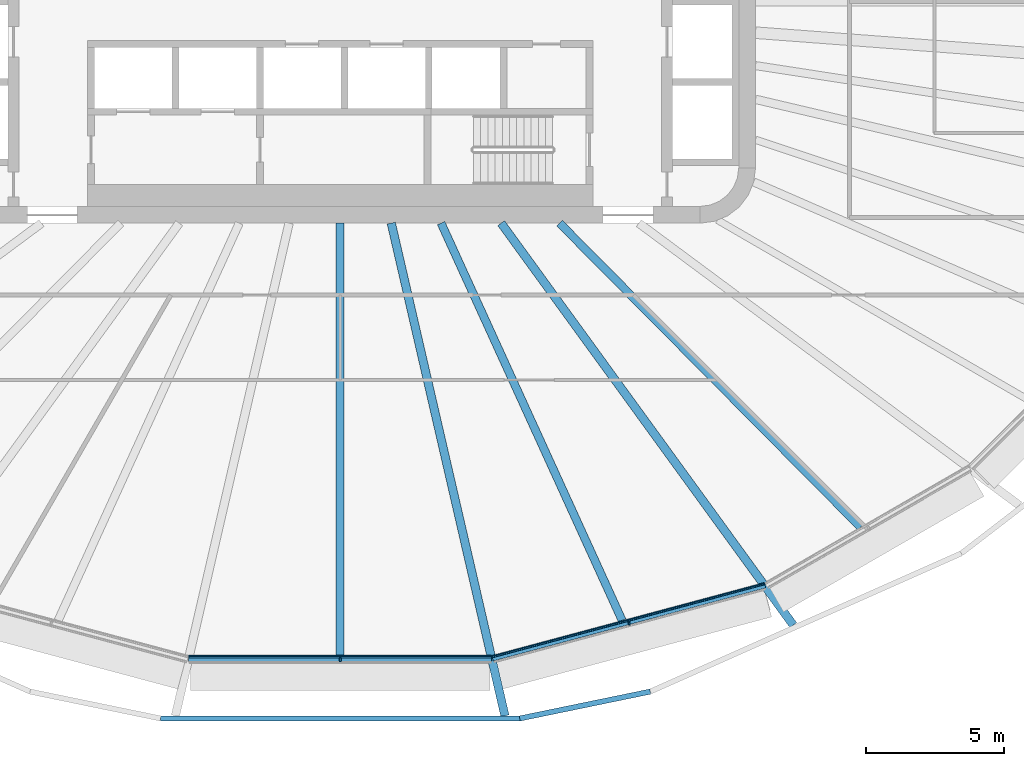
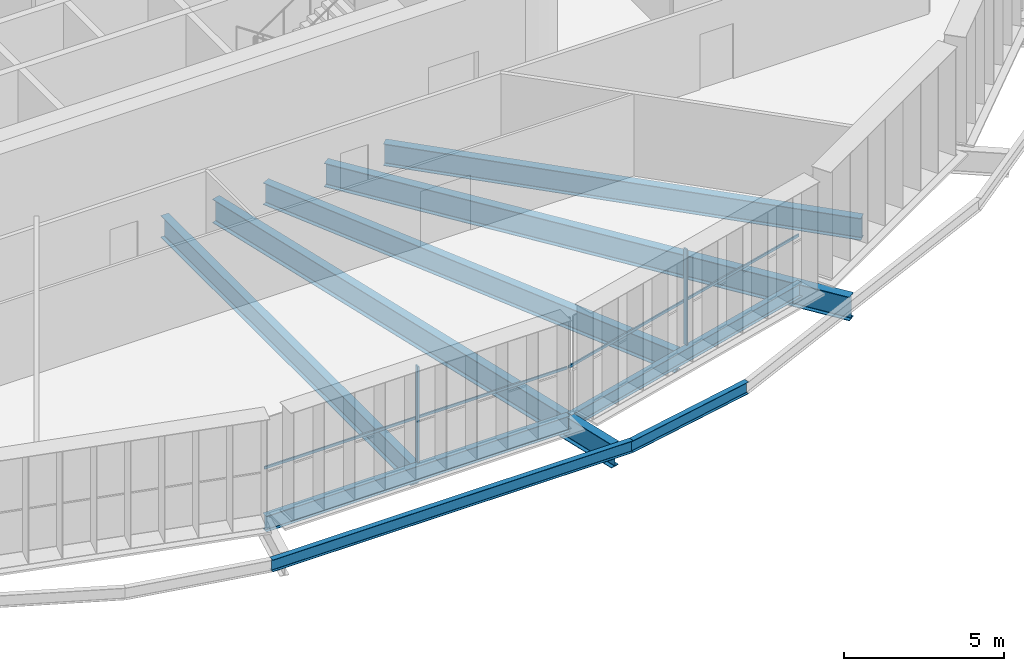
# One storey, part 4 of 25: 9 beams, 4 members, 2 elements without a shape of their own.
"""IFC4 building model written with IfcOpenShell, lengths in metres."""

from ifc_helpers import new_model, si_unit, direction, frame, origin, origin_2d, place, context, subcontext, project, spatial, rectangle, i_section, extrude, material, layer, layer_set, material_profile, profile_set, type_object, element, aggregate, save


model = new_model("IFC4")

# Units and contexts
model_context = context("Model", 3, precision=1e-05, world=origin(), true_north=direction((0.0, 1.0)))
body_context = subcontext(model_context, "Body", "Model", "MODEL_VIEW")
ifc_project = project(units=[si_unit("LENGTHUNIT", "METRE"), si_unit("AREAUNIT", "SQUARE_METRE"), si_unit("VOLUMEUNIT", "CUBIC_METRE"), si_unit("PLANEANGLEUNIT", "RADIAN"), si_unit("MASSUNIT", "GRAM", prefix="KILO")], contexts=[model_context])

# Site, building, storey
site_placement = place(None, origin())
site = spatial("IfcSite", under=ifc_project, at=site_placement, CompositionType="ELEMENT")
building_placement = place(site_placement, origin())
building = spatial("IfcBuilding", under=site, at=building_placement, Name="Sahrelin Media Tower", CompositionType="ELEMENT")
storey_placement = place(building_placement, frame((0.0, 0.0, 127.199951171875)))
storey = spatial("IfcBuildingStorey", under=building, at=storey_placement, Name="L25", CompositionType="ELEMENT", Elevation=127.199951171875)

# Beams
ifc_material_1 = material(Name="Steel S355", Category="steel")
ifc_material_profile_1 = material_profile(ifc_material_1, i_section(OverallWidth=0.208740234375, OverallDepth=0.5283203125, WebThickness=0.009521484375, FlangeThickness=0.01318359375, FilletRadius=0.0126953125, at=origin_2d()), Name="UB 533x210x82")
ifc_profile_set_1 = profile_set([ifc_material_profile_1], Name="Steel S355")
beam_type_1 = type_object("IfcBeamType", Name="Edge beam EB6", PredefinedType="BEAM", material=ifc_profile_set_1)
beam_1_placement = place(storey_placement, frame((15.34228515625, -21.07373046875, -0.4140625), z_axis=(-0.965923237506, -0.258828706379, 0.0), x_axis=(0.258828706379, -0.965923237506, 0.0)))
element("IfcBeam", 1, at=beam_1_placement, inside=storey, type_object=beam_type_1, Name="Edge beam L25-06", PredefinedType="BEAM", context=body_context, shape_type="SweptSolid", body=[
    extrude(i_section(OverallWidth=0.208740234375, OverallDepth=0.5283203125, WebThickness=0.009521484375, FlangeThickness=0.01318359375, FilletRadius=0.0126953125, at=origin_2d()), origin(), (0.0, 0.0, 1.0), 10.18896484375),
])
ifc_material_profile_2 = material_profile(ifc_material_1, i_section(OverallWidth=0.2275390625, OverallDepth=0.6025390625, WebThickness=0.010498046875, FlangeThickness=0.014892578125, FilletRadius=0.0126953125, at=origin_2d()), Name="UB 610x229x101")
ifc_profile_set_2 = profile_set([ifc_material_profile_2], Name="Steel S355")
beam_type_2 = type_object("IfcBeamType", Name="Edge beam EB7", PredefinedType="BEAM", material=ifc_profile_set_2)
beam_2_placement = place(storey_placement, frame((5.471923828125, -23.714599609375, -0.451171875), z_axis=(-1.0, 0.0, 0.0), x_axis=(0.0, -1.0, 0.0)))
element("IfcBeam", 2, at=beam_2_placement, inside=storey, type_object=beam_type_2, Name="Edge beam L25-07", PredefinedType="BEAM", context=body_context, shape_type="SweptSolid", body=[
    extrude(i_section(OverallWidth=0.2275390625, OverallDepth=0.6025390625, WebThickness=0.010498046875, FlangeThickness=0.014892578125, FilletRadius=0.0126953125, at=origin_2d()), origin(), (0.0, 0.0, 1.0), 10.94384765625),
])

# Curtain wall, member
ifc_material_2 = material(Name="Champagne anodised aluminium 6063-T6", Category="aluminium")
ifc_layer = layer(ifc_material_2, 0.14990234375)
ifc_layer_set = layer_set([ifc_layer], Name="Tower ribbon curtain wall")
curtain_wall_type = type_object("IfcCurtainWallType", Name="Tower ribbon curtain wall", PredefinedType="NOTDEFINED", material=ifc_layer_set)
curtain_wall_1_placement = place(storey_placement, frame((0.0, -23.86474609375, 0.0), z_axis=(0.0, 0.0, 1.0), x_axis=(1.0, 0.0, 0.0)))
curtain_wall_1 = element("IfcCurtainWall", 3, at=curtain_wall_1_placement, inside=storey, type_object=curtain_wall_type, Name="L25:CW:L25-18", PredefinedType="NOTDEFINED")
ifc_material_profile_3 = material_profile(ifc_material_2, rectangle(XDim=0.06005859375, YDim=0.14990234375, at=origin_2d()), Name="Mullion 60x150")
ifc_profile_set_3 = profile_set([ifc_material_profile_3], Name="Champagne anodised aluminium 6063-T6")
member_type_1 = type_object("IfcMemberType", Name="Mullion 60x150 CW1", PredefinedType="MULLION", material=ifc_profile_set_3)
member_1_placement = place(storey_placement, frame((0.0, -23.769775390625, 0.0), z_axis=(0.0, 0.0, 1.0), x_axis=(1.0, 0.0, 0.0)))
member_1 = element("IfcMember", 4, at=member_1_placement, type_object=member_type_1, Name="L25:CWM:L25-18", PredefinedType="MULLION", context=body_context, shape_type="SweptSolid", body=[
    extrude(rectangle(XDim=0.06005859375, YDim=0.14990234375, at=origin_2d()), origin(), (0.0, 0.0, 1.0), 3.648681640625),
])

curtain_wall_2_placement = place(storey_placement, frame((10.460205078125, -22.537353515625, 0.0), z_axis=(0.0, 0.0, 1.0), x_axis=(1.0, 0.0, 0.0)))
curtain_wall_2 = element("IfcCurtainWall", 5, at=curtain_wall_2_placement, inside=storey, type_object=curtain_wall_type, Name="L25:CW:L25-19", PredefinedType="NOTDEFINED")
member_2_placement = place(storey_placement, frame((10.435546875, -22.445556640625, 0.0), z_axis=(0.0, 0.0, 1.0), x_axis=(0.965924471102, 0.258824102675, 0.0)))
member_2 = element("IfcMember", 6, at=member_2_placement, type_object=member_type_1, Name="L25:CWM:L25-19", PredefinedType="MULLION", context=body_context, shape_type="SweptSolid", body=[
    extrude(rectangle(XDim=0.06005859375, YDim=0.14990234375, at=origin_2d()), origin(), (0.0, 0.0, 1.0), 3.648681640625),
])

# Beams
ifc_material_profile_4 = material_profile(ifc_material_1, i_section(OverallWidth=0.30322265625, OverallDepth=0.903076171875, WebThickness=0.01513671875, FlangeThickness=0.020263671875, FilletRadius=0.01904296875, at=origin_2d()), Name="UB 914x305x201")
ifc_profile_set_4 = profile_set([ifc_material_profile_4], Name="Steel S355")
beam_type_3 = type_object("IfcBeamType", Name="Radial primary beam PB11", PredefinedType="BEAM", material=ifc_profile_set_4)
beam_3_placement = place(storey_placement, frame((1.845703125, -8.0, -0.6015625), z_axis=(0.224828260072, -0.974398405927, 0.0), x_axis=(0.974398405927, 0.224828260072, 0.0)))
element("IfcBeam", 7, at=beam_3_placement, inside=storey, type_object=beam_type_3, Name="Radial beam L25-19", PredefinedType="BEAM", context=body_context, shape_type="SweptSolid", body=[
    extrude(i_section(OverallWidth=0.30322265625, OverallDepth=0.903076171875, WebThickness=0.01513671875, FlangeThickness=0.020263671875, FilletRadius=0.01904296875, at=origin_2d()), origin(), (0.0, 0.0, 1.0), 18.260498046875),
])
beam_4_placement = place(storey_placement, frame((5.81396484375, -8.0, -0.6015625), z_axis=(0.587892585931, -0.808939001042, 0.0), x_axis=(0.808939001042, 0.587892585931, 0.0)))
element("IfcBeam", 8, at=beam_4_placement, inside=storey, type_object=beam_type_3, Name="Radial beam L25-20", PredefinedType="BEAM", context=body_context, shape_type="SweptSolid", body=[
    extrude(i_section(OverallWidth=0.30322265625, OverallDepth=0.903076171875, WebThickness=0.01513671875, FlangeThickness=0.020263671875, FilletRadius=0.01904296875, at=origin_2d()), origin(), (0.0, 0.0, 1.0), 17.945556640625),
])
ifc_material_profile_5 = material_profile(ifc_material_1, i_section(OverallWidth=0.291748046875, OverallDepth=0.8349609375, WebThickness=0.013916015625, FlangeThickness=0.018798828125, FilletRadius=0.017822265625, at=origin_2d()), Name="UB 838x292x176")
ifc_profile_set_5 = profile_set([ifc_material_profile_5], Name="Steel S355")
beam_type_4 = type_object("IfcBeamType", Name="Radial secondary beam SB10", PredefinedType="BEAM", material=ifc_profile_set_5)
beam_5_placement = place(storey_placement, frame((0.0, -8.0, -0.5673828125), z_axis=(0.0, -1.0, 0.0), x_axis=(1.0, 0.0, 0.0)))
element("IfcBeam", 9, at=beam_5_placement, inside=storey, type_object=beam_type_4, Name="Secondary beam L25-14", PredefinedType="BEAM", context=body_context, shape_type="SweptSolid", body=[
    extrude(i_section(OverallWidth=0.291748046875, OverallDepth=0.8349609375, WebThickness=0.013916015625, FlangeThickness=0.018798828125, FilletRadius=0.017822265625, at=origin_2d()), origin(), (0.0, 0.0, 1.0), 15.600830078125),
])
beam_6_placement = place(storey_placement, frame((3.645751953125, -8.0, -0.5673828125), z_axis=(0.414698674727, -0.90995879532, 0.0), x_axis=(0.90995879532, 0.414698674727, 0.0)))
element("IfcBeam", 10, at=beam_6_placement, inside=storey, type_object=beam_type_4, Name="Secondary beam L25-15", PredefinedType="BEAM", context=body_context, shape_type="SweptSolid", body=[
    extrude(i_section(OverallWidth=0.291748046875, OverallDepth=0.8349609375, WebThickness=0.013916015625, FlangeThickness=0.018798828125, FilletRadius=0.017822265625, at=origin_2d()), origin(), (0.0, 0.0, 1.0), 15.767578125),
])
beam_7_placement = place(storey_placement, frame((7.923095703125, -8.0, -0.5673828125), z_axis=(0.703676841458, -0.710520163539, 0.0), x_axis=(0.710520163539, 0.703676841458, 0.0)))
element("IfcBeam", 11, at=beam_7_placement, inside=storey, type_object=beam_type_4, Name="Secondary beam L25-16", PredefinedType="BEAM", context=body_context, shape_type="SweptSolid", body=[
    extrude(i_section(OverallWidth=0.291748046875, OverallDepth=0.8349609375, WebThickness=0.013916015625, FlangeThickness=0.018798828125, FilletRadius=0.017822265625, at=origin_2d()), origin(), (0.0, 0.0, 1.0), 15.447509765625),
])
ifc_material_profile_6 = material_profile(ifc_material_1, i_section(OverallWidth=0.1904296875, OverallDepth=0.45703125, WebThickness=0.009033203125, FlangeThickness=0.014404296875, FilletRadius=0.01025390625, at=origin_2d()), Name="UB 457x191x74")
ifc_profile_set_6 = profile_set([ifc_material_profile_6], Name="Steel S355")
beam_type_5 = type_object("IfcBeamType", Name="Tie chord TC5", PredefinedType="BEAM", material=ifc_profile_set_6)
beam_8_placement = place(storey_placement, frame((-6.486083984375, -25.88818359375, -0.37841796875), z_axis=(1.0, 0.0, 0.0), x_axis=(0.0, 1.0, 0.0)))
element("IfcBeam", 12, at=beam_8_placement, inside=storey, type_object=beam_type_5, Name="Tie chord L25-18", PredefinedType="BEAM", context=body_context, shape_type="SweptSolid", body=[
    extrude(i_section(OverallWidth=0.1904296875, OverallDepth=0.45703125, WebThickness=0.009033203125, FlangeThickness=0.014404296875, FilletRadius=0.01025390625, at=origin_2d()), origin(), (0.0, 0.0, 1.0), 12.97216796875),
])
beam_9_placement = place(storey_placement, frame((6.486083984375, -25.88818359375, -0.37841796875), z_axis=(0.979388624661, 0.201984954599, 0.0), x_axis=(-0.201984954599, 0.979388624661, 0.0)))
element("IfcBeam", 13, at=beam_9_placement, inside=storey, type_object=beam_type_5, Name="Tie chord L25-19", PredefinedType="BEAM", context=body_context, shape_type="SweptSolid", body=[
    extrude(i_section(OverallWidth=0.1904296875, OverallDepth=0.45703125, WebThickness=0.009033203125, FlangeThickness=0.014404296875, FilletRadius=0.01025390625, at=origin_2d()), origin(), (0.0, 0.0, 1.0), 4.81298828125),
])

# Member
ifc_material_profile_7 = material_profile(ifc_material_2, rectangle(XDim=0.050048828125, YDim=0.10009765625, at=origin_2d()), Name="Transom 50x100")
ifc_profile_set_7 = profile_set([ifc_material_profile_7], Name="Champagne anodised aluminium 6063-T6")
member_type_2 = type_object("IfcMemberType", Name="Transom 50x100 CW1", PredefinedType="USERDEFINED", material=ifc_profile_set_7)
member_3_placement = place(storey_placement, frame((-5.456298828125, -23.669677734375, 1.60009765625), z_axis=(1.0, 0.0, 0.0), x_axis=(0.0, 1.0, 0.0)))
member_3 = element("IfcMember", 14, at=member_3_placement, type_object=member_type_2, Name="L25:CWT:L25-18", ObjectType="TRANSOM", PredefinedType="USERDEFINED", context=body_context, shape_type="SweptSolid", body=[
    extrude(rectangle(XDim=0.050048828125, YDim=0.10009765625, at=origin_2d()), origin(), (0.0, 0.0, 1.0), 10.91259765625),
])

aggregate(curtain_wall_1, [member_1, member_3])

member_4_placement = place(storey_placement, frame((5.50390625, -23.663330078125, 1.60009765625), z_axis=(0.965927882145, 0.258811372423, 0.0), x_axis=(-0.258811372423, 0.965927882145, 0.0)))
member_4 = element("IfcMember", 15, at=member_4_placement, type_object=member_type_2, Name="L25:CWT:L25-19", ObjectType="TRANSOM", PredefinedType="USERDEFINED", context=body_context, shape_type="SweptSolid", body=[
    extrude(rectangle(XDim=0.050048828125, YDim=0.10009765625, at=origin_2d()), origin(), (0.0, 0.0, 1.0), 10.15771484375),
])

aggregate(curtain_wall_2, [member_2, member_4])

save(model, "model.ifc")
